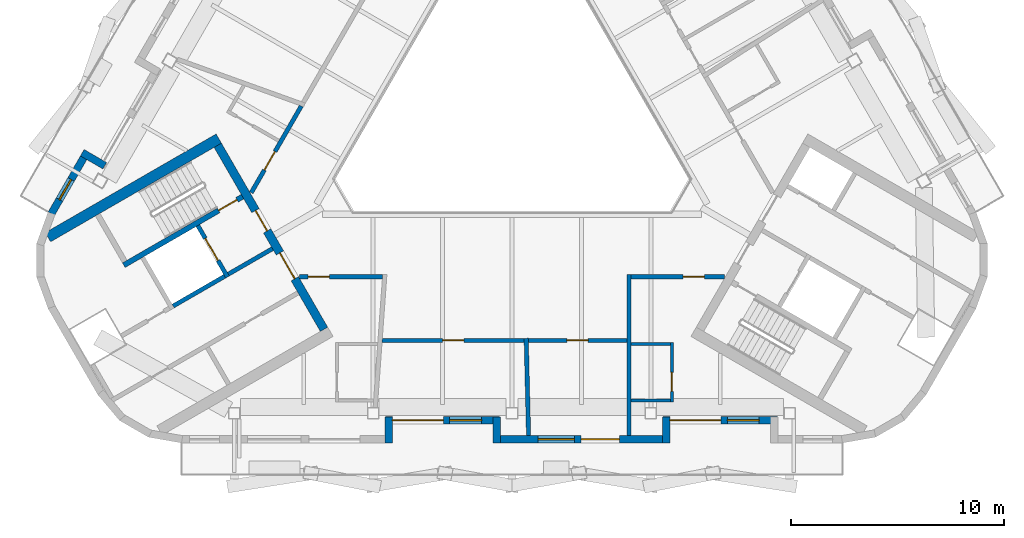
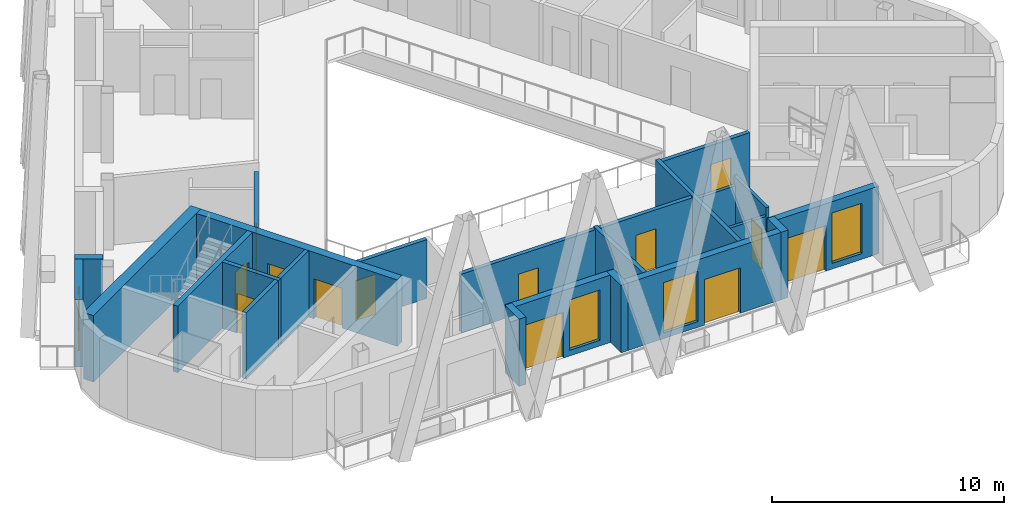
# One storey, part 3 of 11: 24 walls, 13 doors, 4 windows, 17 openings.
"""IFC4 building model written with IfcOpenShell, lengths in metres."""

from ifc_helpers import new_model, si_unit, direction, frame, frame_2d, origin, place, context, subcontext, project, spatial, rectangle, extrude, material, layer, layer_set, type_object, element, fill, save


model = new_model("IFC4")

# Units and contexts
model_context = context("Model", 3, precision=1e-05, world=origin(), true_north=direction((0.0, 1.0)))
body_context = subcontext(model_context, "Body", "Model", "MODEL_VIEW")
ifc_project = project(units=[si_unit("LENGTHUNIT", "METRE"), si_unit("AREAUNIT", "SQUARE_METRE"), si_unit("VOLUMEUNIT", "CUBIC_METRE"), si_unit("PLANEANGLEUNIT", "RADIAN"), si_unit("MASSUNIT", "GRAM", prefix="KILO")], contexts=[model_context])

# Site, building, storey
site_placement = place(None, origin())
site = spatial("IfcSite", under=ifc_project, at=site_placement, CompositionType="ELEMENT")
building_placement = place(site_placement, origin())
building = spatial("IfcBuilding", under=site, at=building_placement, Name="Apuvela Tower Hotel", CompositionType="ELEMENT")
storey_placement = place(building_placement, frame((0.0, 0.0, 313.300048828125)))
storey = spatial("IfcBuildingStorey", under=building, at=storey_placement, Name="L78", CompositionType="ELEMENT", Elevation=313.300048828125)

# Wall, openings, doors
ifc_material_1 = material(Name="Concrete C50/60", Category="concrete")
ifc_layer_1 = layer(ifc_material_1, 0.39990234375)
ifc_layer_set_1 = layer_set([ifc_layer_1], Name="COR-WALL-CORE-400")
wall_type_1 = type_object("IfcWallType", Name="COR-WALL-CORE-400", PredefinedType="SHEAR", material=ifc_layer_set_1)
wall_1_placement = place(storey_placement, frame((-13.844970703125, -2.219970703125, 0.0), z_axis=(0.0, 0.0, 1.0), x_axis=(0.500004234368, -0.866022959057, 0.0)))
wall_1 = element("IfcWall", 1, at=wall_1_placement, inside=storey, type_object=wall_type_1, Name="Core wall SW", PredefinedType="SHEAR", context=body_context, shape_type="SweptSolid", body=[
    extrude(rectangle(XDim=10.0, YDim=0.39990234375, at=frame_2d((5.0, 0.0))), origin(), (0.0, 0.0, 1.0), 3.5),
])
opening_1_placement = place(wall_1_placement, frame((3.550048828125, 0.0, 0.0)))
opening_1 = element("IfcOpeningElement", 2, at=opening_1_placement, cuts=wall_1, Name="Opening W-FD", PredefinedType="OPENING", context=body_context, shape_type="SweptSolid", body=[
    extrude(rectangle(XDim=1.10009765625, YDim=2.10009765625, at=frame_2d((0.550048828125, 1.050048828125))), frame((0.0, 0.2099609375, 0.0), z_axis=(0.0, -1.0, 0.0), x_axis=(1.0, 0.0, 0.0)), (0.0, 0.0, 1.0), 0.419921875),
])
opening_2_placement = place(wall_1_placement, frame((5.85009765625, 0.0, 0.0)))
opening_2 = element("IfcOpeningElement", 3, at=opening_2_placement, cuts=wall_1, Name="Opening W-GD", PredefinedType="OPENING", context=body_context, shape_type="SweptSolid", body=[
    extrude(rectangle(XDim=1.39990234375, YDim=2.10009765625, at=frame_2d((0.699951171875, 1.050048828125))), frame((0.0, 0.2099609375, 0.0), z_axis=(0.0, -1.0, 0.0), x_axis=(1.0, 0.0, 0.0)), (0.0, 0.0, 1.0), 0.419921875),
])
ifc_material_2 = material(Name="Steel fire door, powder coated", Category="steel")
door_type_1 = type_object("IfcDoorType", Name="COR-FD-1100", OperationType="NOTDEFINED", PredefinedType="DOOR", material=ifc_material_2)
door_1_placement = place(opening_1_placement, frame((1.10009765625, 0.0, 0.0), z_axis=(0.0, 0.0, 1.0), x_axis=(-1.0, 0.0, 0.0)))
door_1 = element("IfcDoor", 4, at=door_1_placement, inside=storey, type_object=door_type_1, Name="Firefighting lobby door W-FD", OperationType="SINGLE_SWING_LEFT", OverallHeight=2.10009765625, OverallWidth=1.10009765625, PredefinedType="DOOR", context=body_context, shape_type="SweptSolid", body=[
    extrude(rectangle(XDim=1.10009765625, YDim=2.10009765625, at=frame_2d((0.550048828125, 1.050048828125))), frame((0.0, 0.02490234375, 0.0), z_axis=(0.0, -1.0, 0.0), x_axis=(1.0, 0.0, 0.0)), (0.0, 0.0, 1.0), 0.050048828125),
])
fill(opening_1, door_1)
ifc_material_3 = material(Name="Glazed steel fire door", Category="steel")
door_type_2 = type_object("IfcDoorType", Name="COR-GD-1400", OperationType="DOUBLE_DOOR_SINGLE_SWING", PredefinedType="DOOR", material=ifc_material_3)
door_2_placement = place(opening_2_placement, frame((1.39990234375, 0.0, 0.0), z_axis=(0.0, 0.0, 1.0), x_axis=(-1.0, 0.0, 0.0)))
door_2 = element("IfcDoor", 5, at=door_2_placement, inside=storey, type_object=door_type_2, Name="Lift lobby door W-GD", OperationType="DOUBLE_DOOR_SINGLE_SWING", OverallHeight=2.10009765625, OverallWidth=1.39990234375, PredefinedType="DOOR", context=body_context, shape_type="SweptSolid", body=[
    extrude(rectangle(XDim=1.39990234375, YDim=2.10009765625, at=frame_2d((0.699951171875, 1.050048828125))), frame((0.0, 0.02490234375, 0.0), z_axis=(0.0, -1.0, 0.0), x_axis=(1.0, 0.0, 0.0)), (0.0, 0.0, 1.0), 0.050048828125),
])
fill(opening_2, door_2)

# Wall
ifc_layer_2 = layer(ifc_material_1, 0.5)
ifc_layer_set_2 = layer_set([ifc_layer_2], Name="COR-WALL-CORE-500")
wall_type_2 = type_object("IfcWallType", Name="COR-WALL-CORE-500", PredefinedType="SHEAR", material=ifc_layer_set_2)
wall_2_placement = place(storey_placement, frame((-13.796630859375, -1.9033203125, 0.0), z_axis=(0.0, 0.0, 1.0), x_axis=(-0.866025286072, -0.500000203884, 0.0)))
element("IfcWall", 6, at=wall_2_placement, inside=storey, type_object=wall_type_2, Name="Core wall SW", PredefinedType="SHEAR", context=body_context, shape_type="SweptSolid", body=[
    extrude(rectangle(XDim=9.28271484375, YDim=0.5, at=frame_2d((4.641357421875, 0.0))), origin(), (0.0, 0.0, 1.0), 3.5),
])

# Wall, opening, door
ifc_layer_3 = layer(ifc_material_1, 0.199951171875)
ifc_layer_set_3 = layer_set([ifc_layer_3], Name="COR-WALL-SHAFT-200")
wall_type_3 = type_object("IfcWallType", Name="COR-WALL-SHAFT-200", PredefinedType="SHEAR", material=ifc_layer_set_3)
wall_3_placement = place(storey_placement, frame((-14.783203125, -5.99462890625, 0.0), z_axis=(0.0, 0.0, 1.0), x_axis=(0.49994636267, -0.866056369097, 0.0)))
wall_3 = element("IfcWall", 7, at=wall_3_placement, inside=storey, type_object=wall_type_3, Name="Shaft wall SW", PredefinedType="SHEAR", context=body_context, shape_type="SweptSolid", body=[
    extrude(rectangle(XDim=2.800048828125, YDim=0.199951171875, at=frame_2d((1.39990234375, 0.0))), origin(), (0.0, 0.0, 1.0), 3.5),
])
opening_3_placement = place(wall_3_placement, frame((0.699951171875, 0.0, 0.0)))
opening_3 = element("IfcOpeningElement", 8, at=opening_3_placement, cuts=wall_3, Name="Opening W-LD-FS2", PredefinedType="OPENING", context=body_context, shape_type="SweptSolid", body=[
    extrude(rectangle(XDim=1.199951171875, YDim=2.10009765625, at=frame_2d((0.60009765625, 1.050048828125))), frame((0.0, 0.10986328125, 0.0), z_axis=(0.0, -1.0, 0.0), x_axis=(1.0, 0.0, 0.0)), (0.0, 0.0, 1.0), 0.219970703125),
])
ifc_material_4 = material(Name="Stainless steel lift landing door", Category="steel")
door_type_3 = type_object("IfcDoorType", Name="COR-LD-1200", OperationType="DOUBLE_DOOR_SLIDING", PredefinedType="DOOR", material=ifc_material_4)
door_3_placement = place(opening_3_placement, origin())
door_3 = element("IfcDoor", 9, at=door_3_placement, inside=storey, type_object=door_type_3, Name="Lift landing door W-LD-FS2", OperationType="DOUBLE_DOOR_SLIDING", OverallHeight=2.10009765625, OverallWidth=1.199951171875, PredefinedType="DOOR", context=body_context, shape_type="SweptSolid", body=[
    extrude(rectangle(XDim=1.199951171875, YDim=2.10009765625, at=frame_2d((0.60009765625, 1.050048828125))), frame((0.0, 0.02490234375, 0.0), z_axis=(0.0, -1.0, 0.0), x_axis=(1.0, 0.0, 0.0)), (0.0, 0.0, 1.0), 0.050048828125),
])
fill(opening_3, door_3)

# Walls
wall_4_placement = place(storey_placement, frame((-13.519775390625, -8.383056640625, 0.0), z_axis=(0.0, 0.0, 1.0), x_axis=(-0.866034573852, -0.49998411664, 0.0)))
element("IfcWall", 10, at=wall_4_placement, inside=storey, type_object=wall_type_3, Name="Shaft wall SW", PredefinedType="SHEAR", context=body_context, shape_type="SweptSolid", body=[
    extrude(rectangle(XDim=2.7998046875, YDim=0.199951171875, at=frame_2d((1.39990234375, 0.0))), origin(), (0.0, 0.0, 1.0), 3.5),
])
wall_5_placement = place(storey_placement, frame((-11.26806640625, -7.0830078125, 0.0), z_axis=(0.0, 0.0, 1.0), x_axis=(-0.866050077142, -0.499957262057, 0.0)))
element("IfcWall", 11, at=wall_5_placement, inside=storey, type_object=wall_type_3, Name="Shaft wall SW", PredefinedType="SHEAR", context=body_context, shape_type="SweptSolid", body=[
    extrude(rectangle(XDim=2.400146484375, YDim=0.199951171875, at=frame_2d((1.2001953125, 0.0))), origin(), (0.0, 0.0, 1.0), 3.5),
])

# Wall, opening, door
ifc_layer_4 = layer(ifc_material_1, 0.25)
ifc_layer_set_4 = layer_set([ifc_layer_4], Name="COR-WALL-STAIR-250")
wall_type_4 = type_object("IfcWallType", Name="COR-WALL-STAIR-250", PredefinedType="SHEAR", material=ifc_layer_set_4)
wall_6_placement = place(storey_placement, frame((-12.6806640625, -4.636474609375, 0.0), z_axis=(0.0, 0.0, 1.0), x_axis=(-0.866021702275, -0.500006411147, 0.0)))
wall_6 = element("IfcWall", 12, at=wall_6_placement, inside=storey, type_object=wall_type_4, Name="Stair wall SW", PredefinedType="SHEAR", context=body_context, shape_type="SweptSolid", body=[
    extrude(rectangle(XDim=6.4501953125, YDim=0.25, at=frame_2d((3.22509765625, 0.0))), origin(), (0.0, 0.0, 1.0), 3.5),
])
opening_4_placement = place(wall_6_placement, frame((0.300048828125, 0.0, 0.0)))
opening_4 = element("IfcOpeningElement", 13, at=opening_4_placement, cuts=wall_6, Name="Opening W-SD", PredefinedType="OPENING", context=body_context, shape_type="SweptSolid", body=[
    extrude(rectangle(XDim=1.0, YDim=2.10009765625, at=frame_2d((0.5, 1.050048828125))), frame((0.0, 0.135009765625, 0.0), z_axis=(0.0, -1.0, 0.0), x_axis=(1.0, 0.0, 0.0)), (0.0, 0.0, 1.0), 0.27001953125),
])
door_type_4 = type_object("IfcDoorType", Name="COR-SD-1000", OperationType="NOTDEFINED", PredefinedType="DOOR", material=ifc_material_2)
door_4_placement = place(opening_4_placement, frame((1.0, 0.0, 0.0), z_axis=(0.0, 0.0, 1.0), x_axis=(-1.0, 0.0, 0.0)))
door_4 = element("IfcDoor", 14, at=door_4_placement, inside=storey, type_object=door_type_4, Name="Stair door W-SD", OperationType="SINGLE_SWING_LEFT", OverallHeight=2.10009765625, OverallWidth=1.0, PredefinedType="DOOR", context=body_context, shape_type="SweptSolid", body=[
    extrude(rectangle(XDim=1.0, YDim=2.10009765625, at=frame_2d((0.5, 1.050048828125))), frame((0.0, 0.02490234375, 0.0), z_axis=(0.0, -1.0, 0.0), x_axis=(1.0, 0.0, 0.0)), (0.0, 0.0, 1.0), 0.050048828125),
])
fill(opening_4, door_4)

# Wall
ifc_material_5 = material(Name="Concrete C40/50, dark pigmented precast panel", Category="concrete")
ifc_layer_5 = layer(ifc_material_5, 0.35009765625)
ifc_layer_set_5 = layer_set([ifc_layer_5], Name="ENV-WALL-350")
wall_type_5 = type_object("IfcWallType", Name="ENV-WALL-350", PredefinedType="SOLIDWALL", material=ifc_layer_set_5)
wall_7_placement = place(storey_placement, frame((-19.1650390625, -3.179931640625, 0.0), z_axis=(0.0, 0.0, 1.0), x_axis=(-0.866005645448, 0.500034220881, 0.0)))
element("IfcWall", 15, at=wall_7_placement, inside=storey, type_object=wall_type_5, Name="External wall L78-08", PredefinedType="SOLIDWALL", context=body_context, shape_type="SweptSolid", body=[
    extrude(rectangle(XDim=1.22021484375, YDim=0.35009765625, at=frame_2d((0.610107421875, 0.0))), origin(), (0.0, 0.0, 1.0), 3.550048828125),
])

# Wall, opening, window
wall_8_placement = place(storey_placement, frame((-19.982421875, -2.505859375, 0.0), z_axis=(0.0, 0.0, 1.0), x_axis=(-0.500054617923, -0.865993867816, 0.0)))
wall_8 = element("IfcWall", 16, at=wall_8_placement, inside=storey, type_object=wall_type_5, Name="External wall L78-09", PredefinedType="SOLIDWALL", context=body_context, shape_type="SweptSolid", body=[
    extrude(rectangle(XDim=3.39306640625, YDim=0.35009765625, at=frame_2d((1.696533203125, 0.0))), origin(), (0.0, 0.0, 1.0), 3.550048828125),
])
opening_5_placement = place(wall_8_placement, frame((1.525146484375, 0.0, 0.300048828125)))
opening_5 = element("IfcOpeningElement", 17, at=opening_5_placement, cuts=wall_8, Name="Opening WN11", PredefinedType="OPENING", context=body_context, shape_type="SweptSolid", body=[
    extrude(rectangle(XDim=1.10009765625, YDim=2.64990234375, at=frame_2d((0.550048828125, 1.324951171875))), frame((0.0, 0.18505859375, 0.0), z_axis=(0.0, -1.0, 0.0), x_axis=(1.0, 0.0, 0.0)), (0.0, 0.0, 1.0), 0.3701171875),
])
ifc_material_6 = material(Name="Glass, dark tinted laminated insulated glazing unit", Category="glass")
window_type_1 = type_object("IfcWindowType", Name="ENV-WIN-1100x2650", PartitioningType="SINGLE_PANEL", PredefinedType="WINDOW", material=ifc_material_6)
window_1_placement = place(opening_5_placement, origin())
window_1 = element("IfcWindow", 18, at=window_1_placement, inside=storey, type_object=window_type_1, Name="Window WN11", OverallHeight=2.64990234375, OverallWidth=1.10009765625, PartitioningType="SINGLE_PANEL", PredefinedType="WINDOW", context=body_context, shape_type="SweptSolid", body=[
    extrude(rectangle(XDim=1.10009765625, YDim=2.64990234375, at=frame_2d((0.550048828125, 1.324951171875))), frame((0.0, 0.030029296875, 0.0), z_axis=(0.0, -1.0, 0.0), x_axis=(1.0, 0.0, 0.0)), (0.0, 0.0, 1.0), 0.06005859375),
])
fill(opening_5, window_1)

# Wall
wall_9_placement = place(storey_placement, frame((-5.8056640625, -16.2275390625, 0.0), z_axis=(0.0, 0.0, 1.0), x_axis=(0.0, 1.0, 0.0)))
element("IfcWall", 19, at=wall_9_placement, inside=storey, type_object=wall_type_5, Name="External wall L78-18", PredefinedType="SOLIDWALL", context=body_context, shape_type="SweptSolid", body=[
    extrude(rectangle(XDim=1.219970703125, YDim=0.35009765625, at=frame_2d((0.60986328125, 0.0))), origin(), (0.0, 0.0, 1.0), 3.550048828125),
])

# Wall, openings, door, window
wall_10_placement = place(storey_placement, frame((-5.95068359375, -15.152587890625, 0.0), z_axis=(0.0, 0.0, 1.0), x_axis=(1.0, 0.0, 0.0)))
wall_10 = element("IfcWall", 20, at=wall_10_placement, inside=storey, type_object=wall_type_5, Name="External wall L78-19", PredefinedType="SOLIDWALL", context=body_context, shape_type="SweptSolid", body=[
    extrude(rectangle(XDim=5.37060546875, YDim=0.35009765625, at=frame_2d((2.685302734375, 0.0))), origin(), (0.0, 0.0, 1.0), 3.550048828125),
])
opening_6_placement = place(wall_10_placement, frame((0.320068359375, 0.0, 0.0)))
opening_6 = element("IfcOpeningElement", 21, at=opening_6_placement, cuts=wall_10, Name="Opening BD24", PredefinedType="OPENING", context=body_context, shape_type="SweptSolid", body=[
    extrude(rectangle(XDim=2.39990234375, YDim=2.39990234375, at=frame_2d((1.199951171875, 1.199951171875))), frame((0.0, 0.18505859375, 0.0), z_axis=(0.0, -1.0, 0.0), x_axis=(1.0, 0.0, 0.0)), (0.0, 0.0, 1.0), 0.3701171875),
])
opening_7_placement = place(wall_10_placement, frame((3.02001953125, 0.0, 0.300048828125)))
opening_7 = element("IfcOpeningElement", 22, at=opening_7_placement, cuts=wall_10, Name="Opening WN15", PredefinedType="OPENING", context=body_context, shape_type="SweptSolid", body=[
    extrude(rectangle(XDim=1.5, YDim=2.64990234375, at=frame_2d((0.75, 1.324951171875))), frame((0.0, 0.18505859375, 0.0), z_axis=(0.0, -1.0, 0.0), x_axis=(1.0, 0.0, 0.0)), (0.0, 0.0, 1.0), 0.3701171875),
])
ifc_material_7 = material(Name="Aluminium 6063-T6, dark bronze anodised frame with dark tinted laminated glass", Category="aluminium")
door_type_5 = type_object("IfcDoorType", Name="ENV-DOOR-BALCONY-2400x2400", OperationType="SLIDING_TO_LEFT", PredefinedType="DOOR", material=ifc_material_7)
door_5_placement = place(opening_6_placement, frame((2.39990234375, 0.0, 0.0), z_axis=(0.0, 0.0, 1.0), x_axis=(-1.0, 0.0, 0.0)))
door_5 = element("IfcDoor", 23, at=door_5_placement, inside=storey, type_object=door_type_5, Name="Balcony door BD24", OperationType="SLIDING_TO_LEFT", OverallHeight=2.39990234375, OverallWidth=2.39990234375, PredefinedType="DOOR", context=body_context, shape_type="SweptSolid", body=[
    extrude(rectangle(XDim=2.39990234375, YDim=2.39990234375, at=frame_2d((1.199951171875, 1.199951171875))), frame((0.0, 0.02490234375, 0.0), z_axis=(0.0, -1.0, 0.0), x_axis=(1.0, 0.0, 0.0)), (0.0, 0.0, 1.0), 0.050048828125),
])
fill(opening_6, door_5)
window_type_2 = type_object("IfcWindowType", Name="ENV-WIN-1500x2650", PartitioningType="SINGLE_PANEL", PredefinedType="WINDOW", material=ifc_material_6)
window_2_placement = place(opening_7_placement, origin())
window_2 = element("IfcWindow", 24, at=window_2_placement, inside=storey, type_object=window_type_2, Name="Window WN15", OverallHeight=2.64990234375, OverallWidth=1.5, PartitioningType="SINGLE_PANEL", PredefinedType="WINDOW", context=body_context, shape_type="SweptSolid", body=[
    extrude(rectangle(XDim=1.5, YDim=2.64990234375, at=frame_2d((0.75, 1.324951171875))), frame((0.0, 0.030029296875, 0.0), z_axis=(0.0, -1.0, 0.0), x_axis=(1.0, 0.0, 0.0)), (0.0, 0.0, 1.0), 0.06005859375),
])
fill(opening_7, window_2)

# Wall
wall_11_placement = place(storey_placement, frame((-0.72509765625, -15.007568359375, 0.0), z_axis=(0.0, 0.0, 1.0), x_axis=(0.0, -1.0, 0.0)))
element("IfcWall", 25, at=wall_11_placement, inside=storey, type_object=wall_type_5, Name="External wall L78-20", PredefinedType="SOLIDWALL", context=body_context, shape_type="SweptSolid", body=[
    extrude(rectangle(XDim=1.219970703125, YDim=0.35009765625, at=frame_2d((0.60986328125, 0.0))), origin(), (0.0, 0.0, 1.0), 3.550048828125),
])

# Wall, openings, door, window
wall_12_placement = place(storey_placement, frame((-0.89990234375, -16.052490234375, 0.0), z_axis=(0.0, 0.0, 1.0), x_axis=(1.0, 0.0, 0.0)))
wall_12 = element("IfcWall", 26, at=wall_12_placement, inside=storey, type_object=wall_type_5, Name="External wall L78-21", PredefinedType="SOLIDWALL", context=body_context, shape_type="SweptSolid", body=[
    extrude(rectangle(XDim=8.33056640625, YDim=0.35009765625, at=frame_2d((4.165283203125, 0.0))), origin(), (0.0, 0.0, 1.0), 3.550048828125),
])
opening_8_placement = place(wall_12_placement, frame((4.150390625, 0.0, 0.0)))
opening_8 = element("IfcOpeningElement", 27, at=opening_8_placement, cuts=wall_12, Name="Opening BD18", PredefinedType="OPENING", context=body_context, shape_type="SweptSolid", body=[
    extrude(rectangle(XDim=1.800048828125, YDim=2.39990234375, at=frame_2d((0.89990234375, 1.199951171875))), frame((0.0, 0.18505859375, 0.0), z_axis=(0.0, -1.0, 0.0), x_axis=(1.0, 0.0, 0.0)), (0.0, 0.0, 1.0), 0.3701171875),
])
opening_9_placement = place(wall_12_placement, frame((2.1298828125, 0.0, 0.300048828125)))
opening_9 = element("IfcOpeningElement", 28, at=opening_9_placement, cuts=wall_12, Name="Opening WN17", PredefinedType="OPENING", context=body_context, shape_type="SweptSolid", body=[
    extrude(rectangle(XDim=1.699951171875, YDim=2.64990234375, at=frame_2d((0.85009765625, 1.324951171875))), frame((0.0, 0.18505859375, 0.0), z_axis=(0.0, -1.0, 0.0), x_axis=(1.0, 0.0, 0.0)), (0.0, 0.0, 1.0), 0.3701171875),
])
door_type_6 = type_object("IfcDoorType", Name="ENV-DOOR-BALCONY-1800x2400", OperationType="SLIDING_TO_LEFT", PredefinedType="DOOR", material=ifc_material_7)
door_6_placement = place(opening_8_placement, frame((1.800048828125, 0.0, 0.0), z_axis=(0.0, 0.0, 1.0), x_axis=(-1.0, 0.0, 0.0)))
door_6 = element("IfcDoor", 29, at=door_6_placement, inside=storey, type_object=door_type_6, Name="Balcony door BD18", OperationType="SLIDING_TO_LEFT", OverallHeight=2.39990234375, OverallWidth=1.800048828125, PredefinedType="DOOR", context=body_context, shape_type="SweptSolid", body=[
    extrude(rectangle(XDim=1.800048828125, YDim=2.39990234375, at=frame_2d((0.89990234375, 1.199951171875))), frame((0.0, 0.02490234375, 0.0), z_axis=(0.0, -1.0, 0.0), x_axis=(1.0, 0.0, 0.0)), (0.0, 0.0, 1.0), 0.050048828125),
])
fill(opening_8, door_6)
window_type_3 = type_object("IfcWindowType", Name="ENV-WIN-1700x2650", PartitioningType="SINGLE_PANEL", PredefinedType="WINDOW", material=ifc_material_6)
window_3_placement = place(opening_9_placement, origin())
window_3 = element("IfcWindow", 30, at=window_3_placement, inside=storey, type_object=window_type_3, Name="Window WN17", OverallHeight=2.64990234375, OverallWidth=1.699951171875, PartitioningType="SINGLE_PANEL", PredefinedType="WINDOW", context=body_context, shape_type="SweptSolid", body=[
    extrude(rectangle(XDim=1.699951171875, YDim=2.64990234375, at=frame_2d((0.85009765625, 1.324951171875))), frame((0.0, 0.030029296875, 0.0), z_axis=(0.0, -1.0, 0.0), x_axis=(1.0, 0.0, 0.0)), (0.0, 0.0, 1.0), 0.06005859375),
])
fill(opening_9, window_3)

# Wall
wall_13_placement = place(storey_placement, frame((7.255615234375, -16.2275390625, 0.0), z_axis=(0.0, 0.0, 1.0), x_axis=(0.0, 1.0, 0.0)))
element("IfcWall", 31, at=wall_13_placement, inside=storey, type_object=wall_type_5, Name="External wall L78-22", PredefinedType="SOLIDWALL", context=body_context, shape_type="SweptSolid", body=[
    extrude(rectangle(XDim=1.219970703125, YDim=0.35009765625, at=frame_2d((0.60986328125, 0.0))), origin(), (0.0, 0.0, 1.0), 3.550048828125),
])

# Wall, openings, door, window
wall_14_placement = place(storey_placement, frame((7.110595703125, -15.152587890625, 0.0), z_axis=(0.0, 0.0, 1.0), x_axis=(1.0, 0.0, 0.0)))
wall_14 = element("IfcWall", 32, at=wall_14_placement, inside=storey, type_object=wall_type_5, Name="External wall L78-23", PredefinedType="SOLIDWALL", context=body_context, shape_type="SweptSolid", body=[
    extrude(rectangle(XDim=5.370849609375, YDim=0.35009765625, at=frame_2d((2.685546875, 0.0))), origin(), (0.0, 0.0, 1.0), 3.550048828125),
])
opening_10_placement = place(wall_14_placement, frame((0.3203125, 0.0, 0.0)))
opening_10 = element("IfcOpeningElement", 33, at=opening_10_placement, cuts=wall_14, Name="Opening BD24", PredefinedType="OPENING", context=body_context, shape_type="SweptSolid", body=[
    extrude(rectangle(XDim=2.39990234375, YDim=2.39990234375, at=frame_2d((1.199951171875, 1.199951171875))), frame((0.0, 0.18505859375, 0.0), z_axis=(0.0, -1.0, 0.0), x_axis=(1.0, 0.0, 0.0)), (0.0, 0.0, 1.0), 0.3701171875),
])
opening_11_placement = place(wall_14_placement, frame((3.0205078125, 0.0, 0.300048828125)))
opening_11 = element("IfcOpeningElement", 34, at=opening_11_placement, cuts=wall_14, Name="Opening WN15", PredefinedType="OPENING", context=body_context, shape_type="SweptSolid", body=[
    extrude(rectangle(XDim=1.5, YDim=2.64990234375, at=frame_2d((0.75, 1.324951171875))), frame((0.0, 0.18505859375, 0.0), z_axis=(0.0, -1.0, 0.0), x_axis=(1.0, 0.0, 0.0)), (0.0, 0.0, 1.0), 0.3701171875),
])
door_7_placement = place(opening_10_placement, frame((2.39990234375, 0.0, 0.0), z_axis=(0.0, 0.0, 1.0), x_axis=(-1.0, 0.0, 0.0)))
door_7 = element("IfcDoor", 35, at=door_7_placement, inside=storey, type_object=door_type_5, Name="Balcony door BD24", OperationType="SLIDING_TO_LEFT", OverallHeight=2.39990234375, OverallWidth=2.39990234375, PredefinedType="DOOR", context=body_context, shape_type="SweptSolid", body=[
    extrude(rectangle(XDim=2.39990234375, YDim=2.39990234375, at=frame_2d((1.199951171875, 1.199951171875))), frame((0.0, 0.02490234375, 0.0), z_axis=(0.0, -1.0, 0.0), x_axis=(1.0, 0.0, 0.0)), (0.0, 0.0, 1.0), 0.050048828125),
])
fill(opening_10, door_7)
window_4_placement = place(opening_11_placement, origin())
window_4 = element("IfcWindow", 36, at=window_4_placement, inside=storey, type_object=window_type_2, Name="Window WN15", OverallHeight=2.64990234375, OverallWidth=1.5, PartitioningType="SINGLE_PANEL", PredefinedType="WINDOW", context=body_context, shape_type="SweptSolid", body=[
    extrude(rectangle(XDim=1.5, YDim=2.64990234375, at=frame_2d((0.75, 1.324951171875))), frame((0.0, 0.030029296875, 0.0), z_axis=(0.0, -1.0, 0.0), x_axis=(1.0, 0.0, 0.0)), (0.0, 0.0, 1.0), 0.06005859375),
])
fill(opening_11, window_4)

# Walls
ifc_material_8 = material(Name="Gypsum board partition on twin steel stud", Category="steel")
ifc_layer_6 = layer(ifc_material_8, 0.199951171875)
ifc_layer_set_6 = layer_set([ifc_layer_6], Name="GST-PW1")
wall_type_6 = type_object("IfcWallType", Name="GST-PW1", PredefinedType="PARTITIONING", material=ifc_layer_set_6)
wall_15_placement = place(storey_placement, frame((0.780029296875, -15.87744140625, 0.0), z_axis=(0.0, 0.0, 1.0), x_axis=(-0.024420684353, 0.999701770617, 0.0)))
element("IfcWall", 37, at=wall_15_placement, inside=storey, type_object=wall_type_6, Name="L78 partition 02", PredefinedType="PARTITIONING", context=body_context, shape_type="SweptSolid", body=[
    extrude(rectangle(XDim=4.578857421875, YDim=0.199951171875, at=frame_2d((2.28955078125, 0.0))), origin(), (0.0, 0.0, 1.0), 3.159912109375),
])
wall_16_placement = place(storey_placement, frame((5.5, -15.87744140625, 0.0), z_axis=(0.0, 0.0, 1.0), x_axis=(0.0, 1.0, 0.0)))
element("IfcWall", 38, at=wall_16_placement, inside=storey, type_object=wall_type_6, Name="L78 partition 03", PredefinedType="PARTITIONING", context=body_context, shape_type="SweptSolid", body=[
    extrude(rectangle(XDim=7.577392578125, YDim=0.199951171875, at=frame_2d((3.78857421875, 0.0))), origin(), (0.0, 0.0, 1.0), 3.159912109375),
])

# Wall, opening, door
ifc_material_9 = material(Name="Gypsum board corridor wall on twin steel stud, acoustic", Category="steel")
ifc_layer_7 = layer(ifc_material_9, 0.199951171875)
ifc_layer_set_7 = layer_set([ifc_layer_7], Name="GST-PW2")
wall_type_7 = type_object("IfcWallType", Name="GST-PW2", PredefinedType="PARTITIONING", material=ifc_layer_set_7)
wall_17_placement = place(storey_placement, frame((-6.093017578125, -8.39990234375, 0.0), z_axis=(0.0, 0.0, 1.0), x_axis=(-1.0, 0.0, 0.0)))
wall_17 = element("IfcWall", 39, at=wall_17_placement, inside=storey, type_object=wall_type_7, Name="L78 partition 09", PredefinedType="PARTITIONING", context=body_context, shape_type="SweptSolid", body=[
    extrude(rectangle(XDim=3.895263671875, YDim=0.199951171875, at=frame_2d((1.94775390625, 0.0))), origin(), (0.0, 0.0, 1.0), 3.099853515625),
])
opening_12_placement = place(wall_17_placement, frame((2.4951171875, 0.0, 0.0)))
opening_12 = element("IfcOpeningElement", 40, at=opening_12_placement, cuts=wall_17, Name="Opening GD33-02", PredefinedType="OPENING", context=body_context, shape_type="SweptSolid", body=[
    extrude(rectangle(XDim=1.0, YDim=2.10009765625, at=frame_2d((0.5, 1.050048828125))), frame((0.0, 0.10986328125, 0.0), z_axis=(0.0, -1.0, 0.0), x_axis=(1.0, 0.0, 0.0)), (0.0, 0.0, 1.0), 0.219970703125),
])
ifc_material_10 = material(Name="Timber door leaf in steel frame", Category="steel")
door_type_7 = type_object("IfcDoorType", Name="GST-D1", OperationType="NOTDEFINED", PredefinedType="DOOR", material=ifc_material_10)
door_8_placement = place(opening_12_placement, origin())
door_8 = element("IfcDoor", 41, at=door_8_placement, inside=storey, type_object=door_type_7, Name="Door L78-02", OperationType="SINGLE_SWING_RIGHT", OverallHeight=2.10009765625, OverallWidth=1.0, PredefinedType="DOOR", context=body_context, shape_type="SweptSolid", body=[
    extrude(rectangle(XDim=1.0, YDim=2.10009765625, at=frame_2d((0.5, 1.050048828125))), frame((0.0, 0.02490234375, 0.0), z_axis=(0.0, -1.0, 0.0), x_axis=(1.0, 0.0, 0.0)), (0.0, 0.0, 1.0), 0.050048828125),
])
fill(opening_12, door_8)

wall_18_placement = place(storey_placement, frame((0.57080078125, -11.39990234375, 0.0), z_axis=(0.0, 0.0, 1.0), x_axis=(-1.0, 0.0, 0.0)))
wall_18 = element("IfcWall", 42, at=wall_18_placement, inside=storey, type_object=wall_type_7, Name="L78 partition 13", PredefinedType="PARTITIONING", context=body_context, shape_type="SweptSolid", body=[
    extrude(rectangle(XDim=6.67919921875, YDim=0.199951171875, at=frame_2d((3.339599609375, 0.0))), origin(), (0.0, 0.0, 1.0), 3.099853515625),
])
opening_13_placement = place(wall_18_placement, frame((2.839599609375, 0.0, 0.0)))
opening_13 = element("IfcOpeningElement", 43, at=opening_13_placement, cuts=wall_18, Name="Opening GD33-03", PredefinedType="OPENING", context=body_context, shape_type="SweptSolid", body=[
    extrude(rectangle(XDim=1.0, YDim=2.10009765625, at=frame_2d((0.5, 1.050048828125))), frame((0.0, 0.10986328125, 0.0), z_axis=(0.0, -1.0, 0.0), x_axis=(1.0, 0.0, 0.0)), (0.0, 0.0, 1.0), 0.219970703125),
])
door_9_placement = place(opening_13_placement, origin())
door_9 = element("IfcDoor", 44, at=door_9_placement, inside=storey, type_object=door_type_7, Name="Door L78-03", OperationType="SINGLE_SWING_LEFT", OverallHeight=2.10009765625, OverallWidth=1.0, PredefinedType="DOOR", context=body_context, shape_type="SweptSolid", body=[
    extrude(rectangle(XDim=1.0, YDim=2.10009765625, at=frame_2d((0.5, 1.050048828125))), frame((0.0, 0.02490234375, 0.0), z_axis=(0.0, -1.0, 0.0), x_axis=(1.0, 0.0, 0.0)), (0.0, 0.0, 1.0), 0.050048828125),
])
fill(opening_13, door_9)

wall_19_placement = place(storey_placement, frame((5.39990234375, -11.39990234375, 0.0), z_axis=(0.0, 0.0, 1.0), x_axis=(-1.0, 0.0, 0.0)))
wall_19 = element("IfcWall", 45, at=wall_19_placement, inside=storey, type_object=wall_type_7, Name="L78 partition 14", PredefinedType="PARTITIONING", context=body_context, shape_type="SweptSolid", body=[
    extrude(rectangle(XDim=4.629150390625, YDim=0.199951171875, at=frame_2d((2.314453125, 0.0))), origin(), (0.0, 0.0, 1.0), 3.099853515625),
])
opening_14_placement = place(wall_19_placement, frame((1.814697265625, 0.0, 0.0)))
opening_14 = element("IfcOpeningElement", 46, at=opening_14_placement, cuts=wall_19, Name="Opening GD33-04", PredefinedType="OPENING", context=body_context, shape_type="SweptSolid", body=[
    extrude(rectangle(XDim=1.0, YDim=2.10009765625, at=frame_2d((0.5, 1.050048828125))), frame((0.0, 0.10986328125, 0.0), z_axis=(0.0, -1.0, 0.0), x_axis=(1.0, 0.0, 0.0)), (0.0, 0.0, 1.0), 0.219970703125),
])
door_10_placement = place(opening_14_placement, origin())
door_10 = element("IfcDoor", 47, at=door_10_placement, inside=storey, type_object=door_type_7, Name="Door L78-04", OperationType="SINGLE_SWING_LEFT", OverallHeight=2.10009765625, OverallWidth=1.0, PredefinedType="DOOR", context=body_context, shape_type="SweptSolid", body=[
    extrude(rectangle(XDim=1.0, YDim=2.10009765625, at=frame_2d((0.5, 1.050048828125))), frame((0.0, 0.02490234375, 0.0), z_axis=(0.0, -1.0, 0.0), x_axis=(1.0, 0.0, 0.0)), (0.0, 0.0, 1.0), 0.050048828125),
])
fill(opening_14, door_10)

wall_20_placement = place(storey_placement, frame((9.98828125, -8.39990234375, 0.0), z_axis=(0.0, 0.0, 1.0), x_axis=(-1.0, 0.0, 0.0)))
wall_20 = element("IfcWall", 48, at=wall_20_placement, inside=storey, type_object=wall_type_7, Name="L78 partition 15", PredefinedType="PARTITIONING", context=body_context, shape_type="SweptSolid", body=[
    extrude(rectangle(XDim=4.38818359375, YDim=0.199951171875, at=frame_2d((2.194091796875, 0.0))), origin(), (0.0, 0.0, 1.0), 3.099853515625),
])
opening_15_placement = place(wall_20_placement, frame((0.938232421875, 0.0, 0.0)))
opening_15 = element("IfcOpeningElement", 49, at=opening_15_placement, cuts=wall_20, Name="Opening GD33-06", PredefinedType="OPENING", context=body_context, shape_type="SweptSolid", body=[
    extrude(rectangle(XDim=1.0, YDim=2.10009765625, at=frame_2d((0.5, 1.050048828125))), frame((0.0, 0.10986328125, 0.0), z_axis=(0.0, -1.0, 0.0), x_axis=(1.0, 0.0, 0.0)), (0.0, 0.0, 1.0), 0.219970703125),
])
door_11_placement = place(opening_15_placement, origin())
door_11 = element("IfcDoor", 50, at=door_11_placement, inside=storey, type_object=door_type_7, Name="Door L78-06", OperationType="SINGLE_SWING_LEFT", OverallHeight=2.10009765625, OverallWidth=1.0, PredefinedType="DOOR", context=body_context, shape_type="SweptSolid", body=[
    extrude(rectangle(XDim=1.0, YDim=2.10009765625, at=frame_2d((0.5, 1.050048828125))), frame((0.0, 0.02490234375, 0.0), z_axis=(0.0, -1.0, 0.0), x_axis=(1.0, 0.0, 0.0)), (0.0, 0.0, 1.0), 0.050048828125),
])
fill(opening_15, door_11)

wall_21_placement = place(storey_placement, frame((-12.268798828125, -4.449951171875, 0.0), z_axis=(0.0, 0.0, 1.0), x_axis=(0.500006955494, 0.866021387991, 0.0)))
wall_21 = element("IfcWall", 51, at=wall_21_placement, inside=storey, type_object=wall_type_7, Name="L78 partition 39", PredefinedType="PARTITIONING", context=body_context, shape_type="SweptSolid", body=[
    extrude(rectangle(XDim=4.70458984375, YDim=0.199951171875, at=frame_2d((2.352294921875, 0.0))), origin(), (0.0, 0.0, 1.0), 3.099853515625),
])
opening_16_placement = place(wall_21_placement, frame((1.236572265625, 0.0, 0.0)))
opening_16 = element("IfcOpeningElement", 52, at=opening_16_placement, cuts=wall_21, Name="Opening GD33-21", PredefinedType="OPENING", context=body_context, shape_type="SweptSolid", body=[
    extrude(rectangle(XDim=1.0, YDim=2.10009765625, at=frame_2d((0.5, 1.050048828125))), frame((0.0, 0.10986328125, 0.0), z_axis=(0.0, -1.0, 0.0), x_axis=(1.0, 0.0, 0.0)), (0.0, 0.0, 1.0), 0.219970703125),
])
door_12_placement = place(opening_16_placement, origin())
door_12 = element("IfcDoor", 53, at=door_12_placement, inside=storey, type_object=door_type_7, Name="Door L78-21", OperationType="SINGLE_SWING_LEFT", OverallHeight=2.10009765625, OverallWidth=1.0, PredefinedType="DOOR", context=body_context, shape_type="SweptSolid", body=[
    extrude(rectangle(XDim=1.0, YDim=2.10009765625, at=frame_2d((0.5, 1.050048828125))), frame((0.0, 0.02490234375, 0.0), z_axis=(0.0, -1.0, 0.0), x_axis=(1.0, 0.0, 0.0)), (0.0, 0.0, 1.0), 0.050048828125),
])
fill(opening_16, door_12)

ifc_material_11 = material(Name="Moisture-resistant gypsum board wet wall on steel stud", Category="steel")
ifc_layer_8 = layer(ifc_material_11, 0.14990234375)
ifc_layer_set_8 = layer_set([ifc_layer_8], Name="GST-PW3")
wall_type_8 = type_object("IfcWallType", Name="GST-PW3", PredefinedType="PARTITIONING", material=ifc_layer_set_8)
wall_22_placement = place(storey_placement, frame((7.52490234375, -14.300048828125, 0.0), z_axis=(0.0, 0.0, 1.0), x_axis=(0.0, 1.0, 0.0)))
wall_22 = element("IfcWall", 54, at=wall_22_placement, inside=storey, type_object=wall_type_8, Name="L78 partition 16", PredefinedType="PARTITIONING", context=body_context, shape_type="SweptSolid", body=[
    extrude(rectangle(XDim=2.800048828125, YDim=0.14990234375, at=frame_2d((1.39990234375, 0.0))), origin(), (0.0, 0.0, 1.0), 3.550048828125),
])
opening_17_placement = place(wall_22_placement, frame((0.5, 0.0, 0.0)))
opening_17 = element("IfcOpeningElement", 55, at=opening_17_placement, cuts=wall_22, Name="Opening GD33-05", PredefinedType="OPENING", context=body_context, shape_type="SweptSolid", body=[
    extrude(rectangle(XDim=0.89990234375, YDim=2.10009765625, at=frame_2d((0.449951171875, 1.050048828125))), frame((0.0, 0.0849609375, 0.0), z_axis=(0.0, -1.0, 0.0), x_axis=(1.0, 0.0, 0.0)), (0.0, 0.0, 1.0), 0.169921875),
])
door_type_8 = type_object("IfcDoorType", Name="GST-D2", OperationType="NOTDEFINED", PredefinedType="DOOR", material=ifc_material_10)
door_13_placement = place(opening_17_placement, origin())
door_13 = element("IfcDoor", 56, at=door_13_placement, inside=storey, type_object=door_type_8, Name="Door L78-05", OperationType="SINGLE_SWING_LEFT", OverallHeight=2.10009765625, OverallWidth=0.89990234375, PredefinedType="DOOR", context=body_context, shape_type="SweptSolid", body=[
    extrude(rectangle(XDim=0.89990234375, YDim=2.10009765625, at=frame_2d((0.449951171875, 1.050048828125))), frame((0.0, 0.02490234375, 0.0), z_axis=(0.0, -1.0, 0.0), x_axis=(1.0, 0.0, 0.0)), (0.0, 0.0, 1.0), 0.050048828125),
])
fill(opening_17, door_13)

# Walls
for number, where, z_axis, x_axis, name in (
    (57, (5.60009765625, -14.22509765625, 0.0), (0.0, 0.0, 1.0), (1.0, 0.0, 0.0), "L78 partition 17"),
    (58, (5.60009765625, -11.574951171875, 0.0), (0.0, 0.0, 1.0), (1.0, 0.0, 0.0), "L78 partition 18"),
):
    element("IfcWall", number, at=place(storey_placement, frame(where, z_axis=z_axis, x_axis=x_axis)), inside=storey, type_object=wall_type_8, Name=name, PredefinedType="PARTITIONING", context=body_context, shape_type="SweptSolid", body=[
        extrude(rectangle(XDim=1.849853515625, YDim=0.14990234375, at=frame_2d((0.9248046875, 0.0))), origin(), (0.0, 0.0, 1.0), 3.099853515625),
    ])

save(model, "model.ifc")
